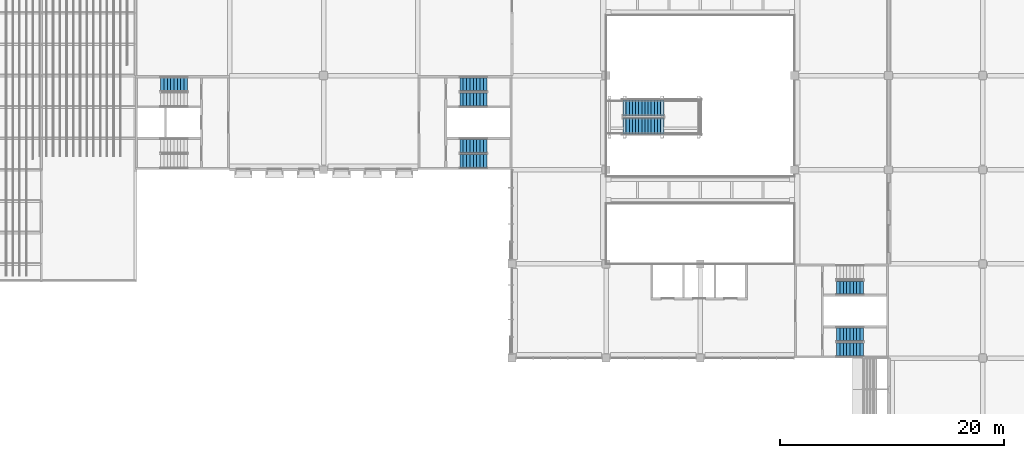
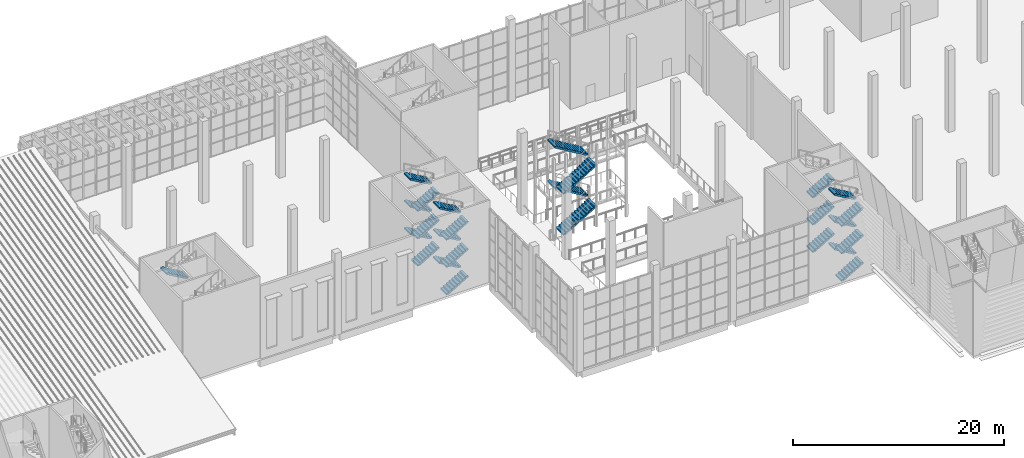
# One storey, part 56 of 114: 26 stair flights, 6 elements without a shape of their own.
"""IFC4 building model written with IfcOpenShell, lengths in metres."""

from ifc_helpers import new_model, si_unit, direction, frame, origin, place, context, subcontext, project, spatial, polyline, outline, extrude, material, type_object, element, aggregate, save


model = new_model("IFC4")

# Units and contexts
model_context = context("Model", 3, precision=1e-05, world=origin(), true_north=direction((0.0, 1.0)))
body_context = subcontext(model_context, "Body", "Model", "MODEL_VIEW")
ifc_project = project(units=[si_unit("LENGTHUNIT", "METRE"), si_unit("AREAUNIT", "SQUARE_METRE"), si_unit("VOLUMEUNIT", "CUBIC_METRE"), si_unit("PLANEANGLEUNIT", "RADIAN"), si_unit("MASSUNIT", "GRAM", prefix="KILO")], contexts=[model_context])

# Site, building, storey
site_placement = place(None, origin())
site = spatial("IfcSite", under=ifc_project, at=site_placement, CompositionType="ELEMENT")
building_placement = place(site_placement, origin())
building = spatial("IfcBuilding", under=site, at=building_placement, Name="Almond Square Museum", CompositionType="ELEMENT")
storey_placement = place(building_placement, frame((0.0, 0.0, 10.5)))
storey = spatial("IfcBuildingStorey", under=building, at=storey_placement, Name="L02", CompositionType="ELEMENT", Elevation=10.5)

# Stair, stair flights
ifc_material_1 = material(Name="Concrete C40/50", Category="concrete")
stair_type_1 = type_object("IfcStairType", Name="Exit stair 54 risers of 176 mm", PredefinedType="HALF_TURN_STAIR", material=ifc_material_1)
stair_1_placement = place(storey_placement, origin())
stair_1 = element("IfcStair", 1, at=stair_1_placement, inside=storey, type_object=stair_type_1, Name="L02 stair A2-1", PredefinedType="HALF_TURN_STAIR")
ifc_material_2 = material(Name="Concrete C40/50", Category="concrete")
stair_flight_type_1 = type_object("IfcStairFlightType", Name="Concrete flight", PredefinedType="STRAIGHT", material=ifc_material_2)
stair_flight_1_placement = place(storey_placement, frame((102.14990234375, 67.97509765625, 0.0), z_axis=(0.0, 0.0, 1.0), x_axis=(1.0, 0.0, 0.0)))
stair_flight_1 = element("IfcStairFlight", 2, at=stair_flight_1_placement, type_object=stair_flight_type_1, Name="ST-11 flight 1", NumberOfRisers=9, NumberOfTreads=8, PredefinedType="STRAIGHT", RiserHeight=0.175925926, TreadLength=0.3, context=body_context, shape_type="SweptSolid", body=[
    extrude(outline(polyline([(0.0, 0.0), (0.0, 0.176025390625), (0.300048828125, 0.176025390625), (0.300048828125, 0.351806640625), (0.60009765625, 0.351806640625), (0.60009765625, 0.52783203125), (0.89990234375, 0.52783203125), (0.89990234375, 0.70361328125), (1.199951171875, 0.70361328125), (1.199951171875, 0.879638671875), (1.5, 0.879638671875), (1.5, 1.0556640625), (1.800048828125, 1.0556640625), (1.800048828125, 1.2314453125), (2.10009765625, 1.2314453125), (2.10009765625, 1.407470703125), (2.39990234375, 1.407470703125), (2.39990234375, 1.583251953125), (2.39990234375, 1.233642578125), (0.29638671875, 0.0), (0.0, 0.0)])), frame((0.0, 0.574951171875, 0.0), z_axis=(0.0, -1.0, 0.0), x_axis=(1.0, 0.0, 0.0)), (0.0, 0.0, 1.0), 1.14990234375),
])
stair_flight_2_placement = place(storey_placement, frame((104.550048828125, 69.324951171875, 1.583251953125), z_axis=(0.0, 0.0, 1.0), x_axis=(-1.0, 0.0, 0.0)))
stair_flight_2 = element("IfcStairFlight", 3, at=stair_flight_2_placement, type_object=stair_flight_type_1, Name="ST-11 flight 2", NumberOfRisers=9, NumberOfTreads=8, PredefinedType="STRAIGHT", RiserHeight=0.175925926, TreadLength=0.3, context=body_context, shape_type="SweptSolid", body=[
    extrude(outline(polyline([(0.0, 0.0), (0.0, 0.176025390625), (0.300048828125, 0.176025390625), (0.300048828125, 0.351806640625), (0.60009765625, 0.351806640625), (0.60009765625, 0.52783203125), (0.89990234375, 0.52783203125), (0.89990234375, 0.70361328125), (1.199951171875, 0.70361328125), (1.199951171875, 0.879638671875), (1.5, 0.879638671875), (1.5, 1.0556640625), (1.800048828125, 1.0556640625), (1.800048828125, 1.2314453125), (2.10009765625, 1.2314453125), (2.10009765625, 1.407470703125), (2.39990234375, 1.407470703125), (2.39990234375, 1.583251953125), (2.39990234375, 1.233642578125), (0.29638671875, 0.0), (0.0, 0.0)])), frame((0.0, 0.574951171875, 0.0), z_axis=(0.0, -1.0, 0.0), x_axis=(1.0, 0.0, 0.0)), (0.0, 0.0, 1.0), 1.14990234375),
])
stair_flight_3_placement = place(storey_placement, frame((102.14990234375, 67.97509765625, 3.166748046875), z_axis=(0.0, 0.0, 1.0), x_axis=(1.0, 0.0, 0.0)))
stair_flight_3 = element("IfcStairFlight", 4, at=stair_flight_3_placement, type_object=stair_flight_type_1, Name="ST-11 flight 3", NumberOfRisers=9, NumberOfTreads=8, PredefinedType="STRAIGHT", RiserHeight=0.175925926, TreadLength=0.3, context=body_context, shape_type="SweptSolid", body=[
    extrude(outline(polyline([(0.0, 0.0), (0.0, 0.176025390625), (0.300048828125, 0.176025390625), (0.300048828125, 0.351806640625), (0.60009765625, 0.351806640625), (0.60009765625, 0.52783203125), (0.89990234375, 0.52783203125), (0.89990234375, 0.70361328125), (1.199951171875, 0.70361328125), (1.199951171875, 0.879638671875), (1.5, 0.879638671875), (1.5, 1.0556640625), (1.800048828125, 1.0556640625), (1.800048828125, 1.2314453125), (2.10009765625, 1.2314453125), (2.10009765625, 1.407470703125), (2.39990234375, 1.407470703125), (2.39990234375, 1.583251953125), (2.39990234375, 1.233642578125), (0.29638671875, 0.0), (0.0, 0.0)])), frame((0.0, 0.574951171875, 0.0), z_axis=(0.0, -1.0, 0.0), x_axis=(1.0, 0.0, 0.0)), (0.0, 0.0, 1.0), 1.14990234375),
])
stair_flight_4_placement = place(storey_placement, frame((104.550048828125, 69.324951171875, 4.75), z_axis=(0.0, 0.0, 1.0), x_axis=(-1.0, 0.0, 0.0)))
stair_flight_4 = element("IfcStairFlight", 5, at=stair_flight_4_placement, type_object=stair_flight_type_1, Name="ST-11 flight 4", NumberOfRisers=9, NumberOfTreads=8, PredefinedType="STRAIGHT", RiserHeight=0.175925926, TreadLength=0.3, context=body_context, shape_type="SweptSolid", body=[
    extrude(outline(polyline([(0.0, 0.0), (0.0, 0.176025390625), (0.300048828125, 0.176025390625), (0.300048828125, 0.351806640625), (0.60009765625, 0.351806640625), (0.60009765625, 0.52783203125), (0.89990234375, 0.52783203125), (0.89990234375, 0.70361328125), (1.199951171875, 0.70361328125), (1.199951171875, 0.879638671875), (1.5, 0.879638671875), (1.5, 1.0556640625), (1.800048828125, 1.0556640625), (1.800048828125, 1.2314453125), (2.10009765625, 1.2314453125), (2.10009765625, 1.407470703125), (2.39990234375, 1.407470703125), (2.39990234375, 1.583251953125), (2.39990234375, 1.233642578125), (0.29638671875, 0.0), (0.0, 0.0)])), frame((0.0, 0.574951171875, 0.0), z_axis=(0.0, -1.0, 0.0), x_axis=(1.0, 0.0, 0.0)), (0.0, 0.0, 1.0), 1.14990234375),
])
stair_flight_5_placement = place(storey_placement, frame((102.14990234375, 67.97509765625, 6.333251953125), z_axis=(0.0, 0.0, 1.0), x_axis=(1.0, 0.0, 0.0)))
stair_flight_5 = element("IfcStairFlight", 6, at=stair_flight_5_placement, type_object=stair_flight_type_1, Name="ST-11 flight 5", NumberOfRisers=9, NumberOfTreads=8, PredefinedType="STRAIGHT", RiserHeight=0.175925926, TreadLength=0.3, context=body_context, shape_type="SweptSolid", body=[
    extrude(outline(polyline([(0.0, 0.0), (0.0, 0.176025390625), (0.300048828125, 0.176025390625), (0.300048828125, 0.351806640625), (0.60009765625, 0.351806640625), (0.60009765625, 0.52783203125), (0.89990234375, 0.52783203125), (0.89990234375, 0.70361328125), (1.199951171875, 0.70361328125), (1.199951171875, 0.879638671875), (1.5, 0.879638671875), (1.5, 1.0556640625), (1.800048828125, 1.0556640625), (1.800048828125, 1.2314453125), (2.10009765625, 1.2314453125), (2.10009765625, 1.407470703125), (2.39990234375, 1.407470703125), (2.39990234375, 1.583251953125), (2.39990234375, 1.233642578125), (0.29638671875, 0.0), (0.0, 0.0)])), frame((0.0, 0.574951171875, 0.0), z_axis=(0.0, -1.0, 0.0), x_axis=(1.0, 0.0, 0.0)), (0.0, 0.0, 1.0), 1.14990234375),
])
stair_flight_6_placement = place(storey_placement, frame((104.550048828125, 69.324951171875, 7.916748046875), z_axis=(0.0, 0.0, 1.0), x_axis=(-1.0, 0.0, 0.0)))
stair_flight_6 = element("IfcStairFlight", 7, at=stair_flight_6_placement, type_object=stair_flight_type_1, Name="ST-11 flight 6", NumberOfRisers=9, NumberOfTreads=8, PredefinedType="STRAIGHT", RiserHeight=0.175925926, TreadLength=0.3, context=body_context, shape_type="SweptSolid", body=[
    extrude(outline(polyline([(0.0, 0.0), (0.0, 0.176025390625), (0.300048828125, 0.176025390625), (0.300048828125, 0.351806640625), (0.60009765625, 0.351806640625), (0.60009765625, 0.52783203125), (0.89990234375, 0.52783203125), (0.89990234375, 0.70361328125), (1.199951171875, 0.70361328125), (1.199951171875, 0.879638671875), (1.5, 0.879638671875), (1.5, 1.0556640625), (1.800048828125, 1.0556640625), (1.800048828125, 1.2314453125), (2.10009765625, 1.2314453125), (2.10009765625, 1.407470703125), (2.39990234375, 1.407470703125), (2.39990234375, 1.583251953125), (2.39990234375, 1.233642578125), (0.29638671875, 0.0), (0.0, 0.0)])), frame((0.0, 0.574951171875, 0.0), z_axis=(0.0, -1.0, 0.0), x_axis=(1.0, 0.0, 0.0)), (0.0, 0.0, 1.0), 1.14990234375),
])
aggregate(stair_1, [stair_flight_1, stair_flight_2, stair_flight_3, stair_flight_4, stair_flight_5, stair_flight_6])

stair_2_placement = place(storey_placement, origin())
stair_2 = element("IfcStair", 8, at=stair_2_placement, inside=storey, type_object=stair_type_1, Name="L02 stair A2-2", PredefinedType="HALF_TURN_STAIR")
stair_flight_7_placement = place(storey_placement, frame((102.14990234375, 73.47509765625, 0.0), z_axis=(0.0, 0.0, 1.0), x_axis=(1.0, 0.0, 0.0)))
stair_flight_7 = element("IfcStairFlight", 9, at=stair_flight_7_placement, type_object=stair_flight_type_1, Name="ST-12 flight 1", NumberOfRisers=9, NumberOfTreads=8, PredefinedType="STRAIGHT", RiserHeight=0.175925926, TreadLength=0.3, context=body_context, shape_type="SweptSolid", body=[
    extrude(outline(polyline([(0.0, 0.0), (0.0, 0.176025390625), (0.300048828125, 0.176025390625), (0.300048828125, 0.351806640625), (0.60009765625, 0.351806640625), (0.60009765625, 0.52783203125), (0.89990234375, 0.52783203125), (0.89990234375, 0.70361328125), (1.199951171875, 0.70361328125), (1.199951171875, 0.879638671875), (1.5, 0.879638671875), (1.5, 1.0556640625), (1.800048828125, 1.0556640625), (1.800048828125, 1.2314453125), (2.10009765625, 1.2314453125), (2.10009765625, 1.407470703125), (2.39990234375, 1.407470703125), (2.39990234375, 1.583251953125), (2.39990234375, 1.233642578125), (0.29638671875, 0.0), (0.0, 0.0)])), frame((0.0, 0.574951171875, 0.0), z_axis=(0.0, -1.0, 0.0), x_axis=(1.0, 0.0, 0.0)), (0.0, 0.0, 1.0), 1.14990234375),
])
stair_flight_8_placement = place(storey_placement, frame((102.14990234375, 73.47509765625, 3.166748046875), z_axis=(0.0, 0.0, 1.0), x_axis=(1.0, 0.0, 0.0)))
stair_flight_8 = element("IfcStairFlight", 10, at=stair_flight_8_placement, type_object=stair_flight_type_1, Name="ST-12 flight 3", NumberOfRisers=9, NumberOfTreads=8, PredefinedType="STRAIGHT", RiserHeight=0.175925926, TreadLength=0.3, context=body_context, shape_type="SweptSolid", body=[
    extrude(outline(polyline([(0.0, 0.0), (0.0, 0.176025390625), (0.300048828125, 0.176025390625), (0.300048828125, 0.351806640625), (0.60009765625, 0.351806640625), (0.60009765625, 0.52783203125), (0.89990234375, 0.52783203125), (0.89990234375, 0.70361328125), (1.199951171875, 0.70361328125), (1.199951171875, 0.879638671875), (1.5, 0.879638671875), (1.5, 1.0556640625), (1.800048828125, 1.0556640625), (1.800048828125, 1.2314453125), (2.10009765625, 1.2314453125), (2.10009765625, 1.407470703125), (2.39990234375, 1.407470703125), (2.39990234375, 1.583251953125), (2.39990234375, 1.233642578125), (0.29638671875, 0.0), (0.0, 0.0)])), frame((0.0, 0.574951171875, 0.0), z_axis=(0.0, -1.0, 0.0), x_axis=(1.0, 0.0, 0.0)), (0.0, 0.0, 1.0), 1.14990234375),
])
stair_flight_9_placement = place(storey_placement, frame((102.14990234375, 73.47509765625, 6.333251953125), z_axis=(0.0, 0.0, 1.0), x_axis=(1.0, 0.0, 0.0)))
stair_flight_9 = element("IfcStairFlight", 11, at=stair_flight_9_placement, type_object=stair_flight_type_1, Name="ST-12 flight 5", NumberOfRisers=9, NumberOfTreads=8, PredefinedType="STRAIGHT", RiserHeight=0.175925926, TreadLength=0.3, context=body_context, shape_type="SweptSolid", body=[
    extrude(outline(polyline([(0.0, 0.0), (0.0, 0.176025390625), (0.300048828125, 0.176025390625), (0.300048828125, 0.351806640625), (0.60009765625, 0.351806640625), (0.60009765625, 0.52783203125), (0.89990234375, 0.52783203125), (0.89990234375, 0.70361328125), (1.199951171875, 0.70361328125), (1.199951171875, 0.879638671875), (1.5, 0.879638671875), (1.5, 1.0556640625), (1.800048828125, 1.0556640625), (1.800048828125, 1.2314453125), (2.10009765625, 1.2314453125), (2.10009765625, 1.407470703125), (2.39990234375, 1.407470703125), (2.39990234375, 1.583251953125), (2.39990234375, 1.233642578125), (0.29638671875, 0.0), (0.0, 0.0)])), frame((0.0, 0.574951171875, 0.0), z_axis=(0.0, -1.0, 0.0), x_axis=(1.0, 0.0, 0.0)), (0.0, 0.0, 1.0), 1.14990234375),
])
aggregate(stair_2, [stair_flight_7, stair_flight_8, stair_flight_9])

# Stair, stair flight
stair_3_placement = place(storey_placement, origin())
stair_3 = element("IfcStair", 12, at=stair_3_placement, inside=storey, type_object=stair_type_1, Name="L02 stair N1-2", PredefinedType="HALF_TURN_STAIR")
stair_flight_10_placement = place(storey_placement, frame((44.25, 91.625, 6.333251953125), z_axis=(0.0, 0.0, 1.0), x_axis=(-1.0, 0.0, 0.0)))
stair_flight_10 = element("IfcStairFlight", 13, at=stair_flight_10_placement, type_object=stair_flight_type_1, Name="ST-18 flight 5", NumberOfRisers=9, NumberOfTreads=8, PredefinedType="STRAIGHT", RiserHeight=0.175925926, TreadLength=0.3, context=body_context, shape_type="SweptSolid", body=[
    extrude(outline(polyline([(0.0, 0.0), (0.0, 0.176025390625), (0.300048828125, 0.176025390625), (0.300048828125, 0.351806640625), (0.60009765625, 0.351806640625), (0.60009765625, 0.52783203125), (0.89990234375, 0.52783203125), (0.89990234375, 0.70361328125), (1.199951171875, 0.70361328125), (1.199951171875, 0.879638671875), (1.5, 0.879638671875), (1.5, 1.0556640625), (1.800048828125, 1.0556640625), (1.800048828125, 1.2314453125), (2.10009765625, 1.2314453125), (2.10009765625, 1.407470703125), (2.39990234375, 1.407470703125), (2.39990234375, 1.583251953125), (2.39990234375, 1.233642578125), (0.29638671875, 0.0), (0.0, 0.0)])), frame((0.0, 0.574951171875, 0.0), z_axis=(0.0, -1.0, 0.0), x_axis=(1.0, 0.0, 0.0)), (0.0, 0.0, 1.0), 1.14990234375),
])
aggregate(stair_3, [stair_flight_10])

# Stair, stair flights
stair_4_placement = place(storey_placement, origin())
stair_4 = element("IfcStair", 14, at=stair_4_placement, inside=storey, type_object=stair_type_1, Name="L02 stair N2-1", PredefinedType="HALF_TURN_STAIR")
stair_flight_11_placement = place(storey_placement, frame((68.550048828125, 84.77490234375, 0.0), z_axis=(0.0, 0.0, 1.0), x_axis=(1.0, 0.0, 0.0)))
stair_flight_11 = element("IfcStairFlight", 15, at=stair_flight_11_placement, type_object=stair_flight_type_1, Name="ST-19 flight 1", NumberOfRisers=9, NumberOfTreads=8, PredefinedType="STRAIGHT", RiserHeight=0.175925926, TreadLength=0.3, context=body_context, shape_type="SweptSolid", body=[
    extrude(outline(polyline([(0.0, 0.0), (0.0, 0.176025390625), (0.300048828125, 0.176025390625), (0.300048828125, 0.351806640625), (0.60009765625, 0.351806640625), (0.60009765625, 0.52783203125), (0.89990234375, 0.52783203125), (0.89990234375, 0.70361328125), (1.199951171875, 0.70361328125), (1.199951171875, 0.879638671875), (1.5, 0.879638671875), (1.5, 1.0556640625), (1.800048828125, 1.0556640625), (1.800048828125, 1.2314453125), (2.10009765625, 1.2314453125), (2.10009765625, 1.407470703125), (2.39990234375, 1.407470703125), (2.39990234375, 1.583251953125), (2.39990234375, 1.233642578125), (0.29638671875, 0.0), (0.0, 0.0)])), frame((0.0, 0.574951171875, 0.0), z_axis=(0.0, -1.0, 0.0), x_axis=(1.0, 0.0, 0.0)), (0.0, 0.0, 1.0), 1.14990234375),
])
stair_flight_12_placement = place(storey_placement, frame((70.949951171875, 86.125, 1.583251953125), z_axis=(0.0, 0.0, 1.0), x_axis=(-1.0, 0.0, 0.0)))
stair_flight_12 = element("IfcStairFlight", 16, at=stair_flight_12_placement, type_object=stair_flight_type_1, Name="ST-19 flight 2", NumberOfRisers=9, NumberOfTreads=8, PredefinedType="STRAIGHT", RiserHeight=0.175925926, TreadLength=0.3, context=body_context, shape_type="SweptSolid", body=[
    extrude(outline(polyline([(0.0, 0.0), (0.0, 0.176025390625), (0.300048828125, 0.176025390625), (0.300048828125, 0.351806640625), (0.60009765625, 0.351806640625), (0.60009765625, 0.52783203125), (0.89990234375, 0.52783203125), (0.89990234375, 0.70361328125), (1.199951171875, 0.70361328125), (1.199951171875, 0.879638671875), (1.5, 0.879638671875), (1.5, 1.0556640625), (1.800048828125, 1.0556640625), (1.800048828125, 1.2314453125), (2.10009765625, 1.2314453125), (2.10009765625, 1.407470703125), (2.39990234375, 1.407470703125), (2.39990234375, 1.583251953125), (2.39990234375, 1.233642578125), (0.29638671875, 0.0), (0.0, 0.0)])), frame((0.0, 0.574951171875, 0.0), z_axis=(0.0, -1.0, 0.0), x_axis=(1.0, 0.0, 0.0)), (0.0, 0.0, 1.0), 1.14990234375),
])
stair_flight_13_placement = place(storey_placement, frame((68.550048828125, 84.77490234375, 3.166748046875), z_axis=(0.0, 0.0, 1.0), x_axis=(1.0, 0.0, 0.0)))
stair_flight_13 = element("IfcStairFlight", 17, at=stair_flight_13_placement, type_object=stair_flight_type_1, Name="ST-19 flight 3", NumberOfRisers=9, NumberOfTreads=8, PredefinedType="STRAIGHT", RiserHeight=0.175925926, TreadLength=0.3, context=body_context, shape_type="SweptSolid", body=[
    extrude(outline(polyline([(0.0, 0.0), (0.0, 0.176025390625), (0.300048828125, 0.176025390625), (0.300048828125, 0.351806640625), (0.60009765625, 0.351806640625), (0.60009765625, 0.52783203125), (0.89990234375, 0.52783203125), (0.89990234375, 0.70361328125), (1.199951171875, 0.70361328125), (1.199951171875, 0.879638671875), (1.5, 0.879638671875), (1.5, 1.0556640625), (1.800048828125, 1.0556640625), (1.800048828125, 1.2314453125), (2.10009765625, 1.2314453125), (2.10009765625, 1.407470703125), (2.39990234375, 1.407470703125), (2.39990234375, 1.583251953125), (2.39990234375, 1.233642578125), (0.29638671875, 0.0), (0.0, 0.0)])), frame((0.0, 0.574951171875, 0.0), z_axis=(0.0, -1.0, 0.0), x_axis=(1.0, 0.0, 0.0)), (0.0, 0.0, 1.0), 1.14990234375),
])
stair_flight_14_placement = place(storey_placement, frame((70.949951171875, 86.125, 4.75), z_axis=(0.0, 0.0, 1.0), x_axis=(-1.0, 0.0, 0.0)))
stair_flight_14 = element("IfcStairFlight", 18, at=stair_flight_14_placement, type_object=stair_flight_type_1, Name="ST-19 flight 4", NumberOfRisers=9, NumberOfTreads=8, PredefinedType="STRAIGHT", RiserHeight=0.175925926, TreadLength=0.3, context=body_context, shape_type="SweptSolid", body=[
    extrude(outline(polyline([(0.0, 0.0), (0.0, 0.176025390625), (0.300048828125, 0.176025390625), (0.300048828125, 0.351806640625), (0.60009765625, 0.351806640625), (0.60009765625, 0.52783203125), (0.89990234375, 0.52783203125), (0.89990234375, 0.70361328125), (1.199951171875, 0.70361328125), (1.199951171875, 0.879638671875), (1.5, 0.879638671875), (1.5, 1.0556640625), (1.800048828125, 1.0556640625), (1.800048828125, 1.2314453125), (2.10009765625, 1.2314453125), (2.10009765625, 1.407470703125), (2.39990234375, 1.407470703125), (2.39990234375, 1.583251953125), (2.39990234375, 1.233642578125), (0.29638671875, 0.0), (0.0, 0.0)])), frame((0.0, 0.574951171875, 0.0), z_axis=(0.0, -1.0, 0.0), x_axis=(1.0, 0.0, 0.0)), (0.0, 0.0, 1.0), 1.14990234375),
])
stair_flight_15_placement = place(storey_placement, frame((68.550048828125, 84.77490234375, 6.333251953125), z_axis=(0.0, 0.0, 1.0), x_axis=(1.0, 0.0, 0.0)))
stair_flight_15 = element("IfcStairFlight", 19, at=stair_flight_15_placement, type_object=stair_flight_type_1, Name="ST-19 flight 5", NumberOfRisers=9, NumberOfTreads=8, PredefinedType="STRAIGHT", RiserHeight=0.175925926, TreadLength=0.3, context=body_context, shape_type="SweptSolid", body=[
    extrude(outline(polyline([(0.0, 0.0), (0.0, 0.176025390625), (0.300048828125, 0.176025390625), (0.300048828125, 0.351806640625), (0.60009765625, 0.351806640625), (0.60009765625, 0.52783203125), (0.89990234375, 0.52783203125), (0.89990234375, 0.70361328125), (1.199951171875, 0.70361328125), (1.199951171875, 0.879638671875), (1.5, 0.879638671875), (1.5, 1.0556640625), (1.800048828125, 1.0556640625), (1.800048828125, 1.2314453125), (2.10009765625, 1.2314453125), (2.10009765625, 1.407470703125), (2.39990234375, 1.407470703125), (2.39990234375, 1.583251953125), (2.39990234375, 1.233642578125), (0.29638671875, 0.0), (0.0, 0.0)])), frame((0.0, 0.574951171875, 0.0), z_axis=(0.0, -1.0, 0.0), x_axis=(1.0, 0.0, 0.0)), (0.0, 0.0, 1.0), 1.14990234375),
])
stair_flight_16_placement = place(storey_placement, frame((70.949951171875, 86.125, 7.916748046875), z_axis=(0.0, 0.0, 1.0), x_axis=(-1.0, 0.0, 0.0)))
stair_flight_16 = element("IfcStairFlight", 20, at=stair_flight_16_placement, type_object=stair_flight_type_1, Name="ST-19 flight 6", NumberOfRisers=9, NumberOfTreads=8, PredefinedType="STRAIGHT", RiserHeight=0.175925926, TreadLength=0.3, context=body_context, shape_type="SweptSolid", body=[
    extrude(outline(polyline([(0.0, 0.0), (0.0, 0.176025390625), (0.300048828125, 0.176025390625), (0.300048828125, 0.351806640625), (0.60009765625, 0.351806640625), (0.60009765625, 0.52783203125), (0.89990234375, 0.52783203125), (0.89990234375, 0.70361328125), (1.199951171875, 0.70361328125), (1.199951171875, 0.879638671875), (1.5, 0.879638671875), (1.5, 1.0556640625), (1.800048828125, 1.0556640625), (1.800048828125, 1.2314453125), (2.10009765625, 1.2314453125), (2.10009765625, 1.407470703125), (2.39990234375, 1.407470703125), (2.39990234375, 1.583251953125), (2.39990234375, 1.233642578125), (0.29638671875, 0.0), (0.0, 0.0)])), frame((0.0, 0.574951171875, 0.0), z_axis=(0.0, -1.0, 0.0), x_axis=(1.0, 0.0, 0.0)), (0.0, 0.0, 1.0), 1.14990234375),
])
aggregate(stair_4, [stair_flight_11, stair_flight_12, stair_flight_13, stair_flight_14, stair_flight_15, stair_flight_16])

stair_5_placement = place(storey_placement, origin())
stair_5 = element("IfcStair", 21, at=stair_5_placement, inside=storey, type_object=stair_type_1, Name="L02 stair N2-2", PredefinedType="HALF_TURN_STAIR")
stair_flight_17_placement = place(storey_placement, frame((68.550048828125, 90.27490234375, 0.0), z_axis=(0.0, 0.0, 1.0), x_axis=(1.0, 0.0, 0.0)))
stair_flight_17 = element("IfcStairFlight", 22, at=stair_flight_17_placement, type_object=stair_flight_type_1, Name="ST-20 flight 1", NumberOfRisers=9, NumberOfTreads=8, PredefinedType="STRAIGHT", RiserHeight=0.175925926, TreadLength=0.3, context=body_context, shape_type="SweptSolid", body=[
    extrude(outline(polyline([(0.0, 0.0), (0.0, 0.176025390625), (0.300048828125, 0.176025390625), (0.300048828125, 0.351806640625), (0.60009765625, 0.351806640625), (0.60009765625, 0.52783203125), (0.89990234375, 0.52783203125), (0.89990234375, 0.70361328125), (1.199951171875, 0.70361328125), (1.199951171875, 0.879638671875), (1.5, 0.879638671875), (1.5, 1.0556640625), (1.800048828125, 1.0556640625), (1.800048828125, 1.2314453125), (2.10009765625, 1.2314453125), (2.10009765625, 1.407470703125), (2.39990234375, 1.407470703125), (2.39990234375, 1.583251953125), (2.39990234375, 1.233642578125), (0.29638671875, 0.0), (0.0, 0.0)])), frame((0.0, 0.574951171875, 0.0), z_axis=(0.0, -1.0, 0.0), x_axis=(1.0, 0.0, 0.0)), (0.0, 0.0, 1.0), 1.14990234375),
])
stair_flight_18_placement = place(storey_placement, frame((70.949951171875, 91.625, 1.583251953125), z_axis=(0.0, 0.0, 1.0), x_axis=(-1.0, 0.0, 0.0)))
stair_flight_18 = element("IfcStairFlight", 23, at=stair_flight_18_placement, type_object=stair_flight_type_1, Name="ST-20 flight 2", NumberOfRisers=9, NumberOfTreads=8, PredefinedType="STRAIGHT", RiserHeight=0.175925926, TreadLength=0.3, context=body_context, shape_type="SweptSolid", body=[
    extrude(outline(polyline([(0.0, 0.0), (0.0, 0.176025390625), (0.300048828125, 0.176025390625), (0.300048828125, 0.351806640625), (0.60009765625, 0.351806640625), (0.60009765625, 0.52783203125), (0.89990234375, 0.52783203125), (0.89990234375, 0.70361328125), (1.199951171875, 0.70361328125), (1.199951171875, 0.879638671875), (1.5, 0.879638671875), (1.5, 1.0556640625), (1.800048828125, 1.0556640625), (1.800048828125, 1.2314453125), (2.10009765625, 1.2314453125), (2.10009765625, 1.407470703125), (2.39990234375, 1.407470703125), (2.39990234375, 1.583251953125), (2.39990234375, 1.233642578125), (0.29638671875, 0.0), (0.0, 0.0)])), frame((0.0, 0.574951171875, 0.0), z_axis=(0.0, -1.0, 0.0), x_axis=(1.0, 0.0, 0.0)), (0.0, 0.0, 1.0), 1.14990234375),
])
stair_flight_19_placement = place(storey_placement, frame((68.550048828125, 90.27490234375, 3.166748046875), z_axis=(0.0, 0.0, 1.0), x_axis=(1.0, 0.0, 0.0)))
stair_flight_19 = element("IfcStairFlight", 24, at=stair_flight_19_placement, type_object=stair_flight_type_1, Name="ST-20 flight 3", NumberOfRisers=9, NumberOfTreads=8, PredefinedType="STRAIGHT", RiserHeight=0.175925926, TreadLength=0.3, context=body_context, shape_type="SweptSolid", body=[
    extrude(outline(polyline([(0.0, 0.0), (0.0, 0.176025390625), (0.300048828125, 0.176025390625), (0.300048828125, 0.351806640625), (0.60009765625, 0.351806640625), (0.60009765625, 0.52783203125), (0.89990234375, 0.52783203125), (0.89990234375, 0.70361328125), (1.199951171875, 0.70361328125), (1.199951171875, 0.879638671875), (1.5, 0.879638671875), (1.5, 1.0556640625), (1.800048828125, 1.0556640625), (1.800048828125, 1.2314453125), (2.10009765625, 1.2314453125), (2.10009765625, 1.407470703125), (2.39990234375, 1.407470703125), (2.39990234375, 1.583251953125), (2.39990234375, 1.233642578125), (0.29638671875, 0.0), (0.0, 0.0)])), frame((0.0, 0.574951171875, 0.0), z_axis=(0.0, -1.0, 0.0), x_axis=(1.0, 0.0, 0.0)), (0.0, 0.0, 1.0), 1.14990234375),
])
stair_flight_20_placement = place(storey_placement, frame((70.949951171875, 91.625, 4.75), z_axis=(0.0, 0.0, 1.0), x_axis=(-1.0, 0.0, 0.0)))
stair_flight_20 = element("IfcStairFlight", 25, at=stair_flight_20_placement, type_object=stair_flight_type_1, Name="ST-20 flight 4", NumberOfRisers=9, NumberOfTreads=8, PredefinedType="STRAIGHT", RiserHeight=0.175925926, TreadLength=0.3, context=body_context, shape_type="SweptSolid", body=[
    extrude(outline(polyline([(0.0, 0.0), (0.0, 0.176025390625), (0.300048828125, 0.176025390625), (0.300048828125, 0.351806640625), (0.60009765625, 0.351806640625), (0.60009765625, 0.52783203125), (0.89990234375, 0.52783203125), (0.89990234375, 0.70361328125), (1.199951171875, 0.70361328125), (1.199951171875, 0.879638671875), (1.5, 0.879638671875), (1.5, 1.0556640625), (1.800048828125, 1.0556640625), (1.800048828125, 1.2314453125), (2.10009765625, 1.2314453125), (2.10009765625, 1.407470703125), (2.39990234375, 1.407470703125), (2.39990234375, 1.583251953125), (2.39990234375, 1.233642578125), (0.29638671875, 0.0), (0.0, 0.0)])), frame((0.0, 0.574951171875, 0.0), z_axis=(0.0, -1.0, 0.0), x_axis=(1.0, 0.0, 0.0)), (0.0, 0.0, 1.0), 1.14990234375),
])
stair_flight_21_placement = place(storey_placement, frame((68.550048828125, 90.27490234375, 6.333251953125), z_axis=(0.0, 0.0, 1.0), x_axis=(1.0, 0.0, 0.0)))
stair_flight_21 = element("IfcStairFlight", 26, at=stair_flight_21_placement, type_object=stair_flight_type_1, Name="ST-20 flight 5", NumberOfRisers=9, NumberOfTreads=8, PredefinedType="STRAIGHT", RiserHeight=0.175925926, TreadLength=0.3, context=body_context, shape_type="SweptSolid", body=[
    extrude(outline(polyline([(0.0, 0.0), (0.0, 0.176025390625), (0.300048828125, 0.176025390625), (0.300048828125, 0.351806640625), (0.60009765625, 0.351806640625), (0.60009765625, 0.52783203125), (0.89990234375, 0.52783203125), (0.89990234375, 0.70361328125), (1.199951171875, 0.70361328125), (1.199951171875, 0.879638671875), (1.5, 0.879638671875), (1.5, 1.0556640625), (1.800048828125, 1.0556640625), (1.800048828125, 1.2314453125), (2.10009765625, 1.2314453125), (2.10009765625, 1.407470703125), (2.39990234375, 1.407470703125), (2.39990234375, 1.583251953125), (2.39990234375, 1.233642578125), (0.29638671875, 0.0), (0.0, 0.0)])), frame((0.0, 0.574951171875, 0.0), z_axis=(0.0, -1.0, 0.0), x_axis=(1.0, 0.0, 0.0)), (0.0, 0.0, 1.0), 1.14990234375),
])
stair_flight_22_placement = place(storey_placement, frame((70.949951171875, 91.625, 7.916748046875), z_axis=(0.0, 0.0, 1.0), x_axis=(-1.0, 0.0, 0.0)))
stair_flight_22 = element("IfcStairFlight", 27, at=stair_flight_22_placement, type_object=stair_flight_type_1, Name="ST-20 flight 6", NumberOfRisers=9, NumberOfTreads=8, PredefinedType="STRAIGHT", RiserHeight=0.175925926, TreadLength=0.3, context=body_context, shape_type="SweptSolid", body=[
    extrude(outline(polyline([(0.0, 0.0), (0.0, 0.176025390625), (0.300048828125, 0.176025390625), (0.300048828125, 0.351806640625), (0.60009765625, 0.351806640625), (0.60009765625, 0.52783203125), (0.89990234375, 0.52783203125), (0.89990234375, 0.70361328125), (1.199951171875, 0.70361328125), (1.199951171875, 0.879638671875), (1.5, 0.879638671875), (1.5, 1.0556640625), (1.800048828125, 1.0556640625), (1.800048828125, 1.2314453125), (2.10009765625, 1.2314453125), (2.10009765625, 1.407470703125), (2.39990234375, 1.407470703125), (2.39990234375, 1.583251953125), (2.39990234375, 1.233642578125), (0.29638671875, 0.0), (0.0, 0.0)])), frame((0.0, 0.574951171875, 0.0), z_axis=(0.0, -1.0, 0.0), x_axis=(1.0, 0.0, 0.0)), (0.0, 0.0, 1.0), 1.14990234375),
])
aggregate(stair_5, [stair_flight_17, stair_flight_18, stair_flight_19, stair_flight_20, stair_flight_21, stair_flight_22])

ifc_material_3 = material(Name="Concrete C40/50", Category="concrete")
stair_type_2 = type_object("IfcStairType", Name="Feature stair 1400 open flights", PredefinedType="HALF_TURN_STAIR", material=ifc_material_3)
stair_6_placement = place(storey_placement, origin())
stair_6 = element("IfcStair", 28, at=stair_6_placement, inside=storey, type_object=stair_type_2, Name="L02 atrium feature stair", PredefinedType="HALF_TURN_STAIR")
ifc_material_4 = material(Name="Concrete C40/50", Category="concrete")
stair_flight_type_2 = type_object("IfcStairFlightType", Name="Feature stair flight 1400", PredefinedType="STRAIGHT", material=ifc_material_4)
stair_flight_23_placement = place(storey_placement, frame((83.10009765625, 87.89990234375, 0.0), z_axis=(0.0, 0.0, 1.0), x_axis=(1.0, 0.0, 0.0)))
stair_flight_23 = element("IfcStairFlight", 29, at=stair_flight_23_placement, type_object=stair_flight_type_2, Name="ST-F flight 1", NumberOfRisers=14, NumberOfTreads=13, PredefinedType="STRAIGHT", RiserHeight=0.169642857, TreadLength=0.28, context=body_context, shape_type="SweptSolid", body=[
    extrude(outline(polyline([(0.0, 0.0), (0.0, 0.169677734375), (0.280029296875, 0.169677734375), (0.280029296875, 0.33935546875), (0.56005859375, 0.33935546875), (0.56005859375, 0.509033203125), (0.840087890625, 0.509033203125), (0.840087890625, 0.678466796875), (1.1201171875, 0.678466796875), (1.1201171875, 0.84814453125), (1.39990234375, 0.84814453125), (1.39990234375, 1.017822265625), (1.679931640625, 1.017822265625), (1.679931640625, 1.1875), (1.9599609375, 1.1875), (1.9599609375, 1.357177734375), (2.239990234375, 1.357177734375), (2.239990234375, 1.52685546875), (2.52001953125, 1.52685546875), (2.52001953125, 1.696533203125), (2.800048828125, 1.696533203125), (2.800048828125, 1.865966796875), (3.080078125, 1.865966796875), (3.080078125, 2.03564453125), (3.360107421875, 2.03564453125), (3.360107421875, 2.205322265625), (3.639892578125, 2.205322265625), (3.639892578125, 2.375), (3.639892578125, 2.030029296875), (0.289306640625, 0.0), (0.0, 0.0)])), frame((0.0, 0.699951171875, 0.0), z_axis=(0.0, -1.0, 0.0), x_axis=(1.0, 0.0, 0.0)), (0.0, 0.0, 1.0), 1.39990234375),
])
stair_flight_24_placement = place(storey_placement, frame((86.739990234375, 89.5, 2.375), z_axis=(0.0, 0.0, 1.0), x_axis=(-1.0, 0.0, 0.0)))
stair_flight_24 = element("IfcStairFlight", 30, at=stair_flight_24_placement, type_object=stair_flight_type_2, Name="ST-F flight 2", NumberOfRisers=14, NumberOfTreads=13, PredefinedType="STRAIGHT", RiserHeight=0.169642857, TreadLength=0.28, context=body_context, shape_type="SweptSolid", body=[
    extrude(outline(polyline([(0.0, 0.0), (0.0, 0.169677734375), (0.280029296875, 0.169677734375), (0.280029296875, 0.33935546875), (0.56005859375, 0.33935546875), (0.56005859375, 0.509033203125), (0.840087890625, 0.509033203125), (0.840087890625, 0.678466796875), (1.1201171875, 0.678466796875), (1.1201171875, 0.84814453125), (1.39990234375, 0.84814453125), (1.39990234375, 1.017822265625), (1.679931640625, 1.017822265625), (1.679931640625, 1.1875), (1.9599609375, 1.1875), (1.9599609375, 1.357177734375), (2.239990234375, 1.357177734375), (2.239990234375, 1.52685546875), (2.52001953125, 1.52685546875), (2.52001953125, 1.696533203125), (2.800048828125, 1.696533203125), (2.800048828125, 1.865966796875), (3.080078125, 1.865966796875), (3.080078125, 2.03564453125), (3.360107421875, 2.03564453125), (3.360107421875, 2.205322265625), (3.639892578125, 2.205322265625), (3.639892578125, 2.375), (3.639892578125, 2.030029296875), (0.289306640625, 0.0), (0.0, 0.0)])), frame((0.0, 0.699951171875, 0.0), z_axis=(0.0, -1.0, 0.0), x_axis=(1.0, 0.0, 0.0)), (0.0, 0.0, 1.0), 1.39990234375),
])
stair_flight_25_placement = place(storey_placement, frame((83.10009765625, 87.89990234375, 4.75), z_axis=(0.0, 0.0, 1.0), x_axis=(1.0, 0.0, 0.0)))
stair_flight_25 = element("IfcStairFlight", 31, at=stair_flight_25_placement, type_object=stair_flight_type_2, Name="ST-F flight 3", NumberOfRisers=14, NumberOfTreads=13, PredefinedType="STRAIGHT", RiserHeight=0.169642857, TreadLength=0.28, context=body_context, shape_type="SweptSolid", body=[
    extrude(outline(polyline([(0.0, 0.0), (0.0, 0.169677734375), (0.280029296875, 0.169677734375), (0.280029296875, 0.33935546875), (0.56005859375, 0.33935546875), (0.56005859375, 0.509033203125), (0.840087890625, 0.509033203125), (0.840087890625, 0.678466796875), (1.1201171875, 0.678466796875), (1.1201171875, 0.84814453125), (1.39990234375, 0.84814453125), (1.39990234375, 1.017822265625), (1.679931640625, 1.017822265625), (1.679931640625, 1.1875), (1.9599609375, 1.1875), (1.9599609375, 1.357177734375), (2.239990234375, 1.357177734375), (2.239990234375, 1.52685546875), (2.52001953125, 1.52685546875), (2.52001953125, 1.696533203125), (2.800048828125, 1.696533203125), (2.800048828125, 1.865966796875), (3.080078125, 1.865966796875), (3.080078125, 2.03564453125), (3.360107421875, 2.03564453125), (3.360107421875, 2.205322265625), (3.639892578125, 2.205322265625), (3.639892578125, 2.375), (3.639892578125, 2.030029296875), (0.289306640625, 0.0), (0.0, 0.0)])), frame((0.0, 0.699951171875, 0.0), z_axis=(0.0, -1.0, 0.0), x_axis=(1.0, 0.0, 0.0)), (0.0, 0.0, 1.0), 1.39990234375),
])
stair_flight_26_placement = place(storey_placement, frame((86.739990234375, 89.5, 7.125), z_axis=(0.0, 0.0, 1.0), x_axis=(-1.0, 0.0, 0.0)))
stair_flight_26 = element("IfcStairFlight", 32, at=stair_flight_26_placement, type_object=stair_flight_type_2, Name="ST-F flight 4", NumberOfRisers=14, NumberOfTreads=13, PredefinedType="STRAIGHT", RiserHeight=0.169642857, TreadLength=0.28, context=body_context, shape_type="SweptSolid", body=[
    extrude(outline(polyline([(0.0, 0.0), (0.0, 0.169677734375), (0.280029296875, 0.169677734375), (0.280029296875, 0.33935546875), (0.56005859375, 0.33935546875), (0.56005859375, 0.509033203125), (0.840087890625, 0.509033203125), (0.840087890625, 0.678466796875), (1.1201171875, 0.678466796875), (1.1201171875, 0.84814453125), (1.39990234375, 0.84814453125), (1.39990234375, 1.017822265625), (1.679931640625, 1.017822265625), (1.679931640625, 1.1875), (1.9599609375, 1.1875), (1.9599609375, 1.357177734375), (2.239990234375, 1.357177734375), (2.239990234375, 1.52685546875), (2.52001953125, 1.52685546875), (2.52001953125, 1.696533203125), (2.800048828125, 1.696533203125), (2.800048828125, 1.865966796875), (3.080078125, 1.865966796875), (3.080078125, 2.03564453125), (3.360107421875, 2.03564453125), (3.360107421875, 2.205322265625), (3.639892578125, 2.205322265625), (3.639892578125, 2.375), (3.639892578125, 2.030029296875), (0.289306640625, 0.0), (0.0, 0.0)])), frame((0.0, 0.699951171875, 0.0), z_axis=(0.0, -1.0, 0.0), x_axis=(1.0, 0.0, 0.0)), (0.0, 0.0, 1.0), 1.39990234375),
])
aggregate(stair_6, [stair_flight_23, stair_flight_24, stair_flight_25, stair_flight_26])

save(model, "model.ifc")
